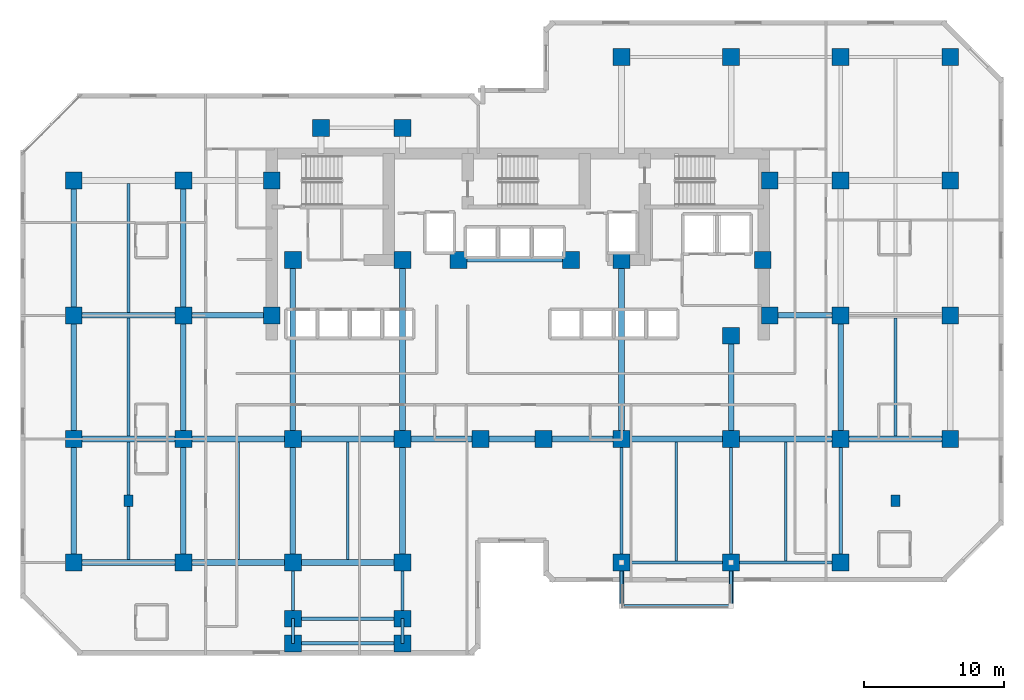
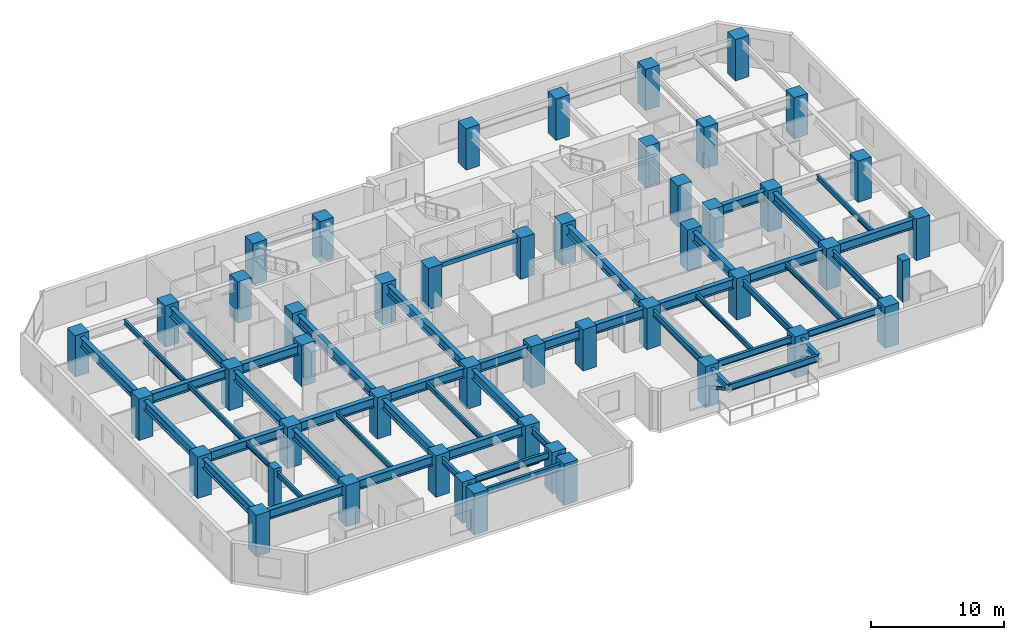
# One storey, part 1 of 11: 51 beams, 48 columns, 2 members.
"""IFC4 building model written with IfcOpenShell, lengths in metres."""

from ifc_helpers import new_model, si_unit, direction, frame, origin, origin_2d, place, context, subcontext, project, spatial, rectangle, hollow_rectangle, i_section, extrude, material, material_profile, profile_set, type_object, element, save


model = new_model("IFC4")

# Units and contexts
model_context = context("Model", 3, precision=1e-05, world=origin(), true_north=direction((0.0, 1.0)))
body_context = subcontext(model_context, "Body", "Model", "MODEL_VIEW")
ifc_project = project(units=[si_unit("LENGTHUNIT", "METRE"), si_unit("AREAUNIT", "SQUARE_METRE"), si_unit("VOLUMEUNIT", "CUBIC_METRE"), si_unit("PLANEANGLEUNIT", "RADIAN"), si_unit("MASSUNIT", "GRAM", prefix="KILO")], contexts=[model_context])

# Site, building, storey
site_placement = place(None, origin())
site = spatial("IfcSite", under=ifc_project, at=site_placement, CompositionType="ELEMENT")
building_placement = place(site_placement, origin())
building = spatial("IfcBuilding", under=site, at=building_placement, Name="Kestravale Grand Hotel", CompositionType="ELEMENT")
storey_placement = place(building_placement, frame((0.0, 0.0, 114.60009765625)))
storey = spatial("IfcBuildingStorey", under=building, at=storey_placement, Name="L28", CompositionType="ELEMENT", Elevation=114.60009765625)

# Columns
ifc_material_1 = material(Name="Precast concrete f'c 45 MPa", Category="concrete")
ifc_material_profile_1 = material_profile(ifc_material_1, rectangle(XDim=0.64990234375, YDim=0.85009765625, at=origin_2d()))
ifc_profile_set_1 = profile_set([ifc_material_profile_1], Name="Precast concrete f'c 45 MPa")
column_type_1 = type_object("IfcColumnType", Name="C-Z1-PIL850", PredefinedType="PILASTER", material=ifc_profile_set_1)
for number, where, z_axis, x_axis, name in (
    (1, (11.699951171875, 15.60009765625, 0.0), (0.0, 0.0, 1.0), (1.0, 0.0, 0.0), "L28 Art Deco fluted pilaster P1"),
    (2, (66.300048828125, 15.60009765625, 0.0), (0.0, 0.0, 1.0), (1.0, 0.0, 0.0), "L28 Art Deco fluted pilaster P2"),
):
    element("IfcColumn", number, at=place(storey_placement, frame(where, z_axis=z_axis, x_axis=x_axis)), inside=storey, type_object=column_type_1, Name=name, PredefinedType="PILASTER", context=body_context, shape_type="SweptSolid", body=[
        extrude(rectangle(XDim=0.64990234375, YDim=0.85009765625, at=origin_2d()), origin(), (0.0, 0.0, 1.0), 3.7998046875),
    ])
ifc_material_2 = material(Name="Concrete f'c 60 MPa", Category="concrete")
ifc_material_profile_2 = material_profile(ifc_material_2, rectangle(XDim=1.199951171875, YDim=1.199951171875, at=origin_2d()))
ifc_profile_set_2 = profile_set([ifc_material_profile_2], Name="Concrete f'c 60 MPa")
column_type_2 = type_object("IfcColumnType", Name="C-Z2-1200", PredefinedType="COLUMN", material=ifc_profile_set_2)
for number, where, z_axis, x_axis, name in (
    (3, (7.800048828125, 11.199951171875, 0.0), (0.0, 0.0, 1.0), (1.0, 0.0, 0.0), "L28 column 2-C"),
    (4, (7.800048828125, 20.0, 0.0), (0.0, 0.0, 1.0), (1.0, 0.0, 0.0), "L28 column 2-D"),
    (5, (7.800048828125, 28.800048828125, 0.0), (0.0, 0.0, 1.0), (1.0, 0.0, 0.0), "L28 column 2-E"),
    (6, (7.800048828125, 38.39990234375, 0.0), (0.0, 0.0, 1.0), (1.0, 0.0, 0.0), "L28 column 2-F"),
    (7, (15.60009765625, 11.199951171875, 0.0), (0.0, 0.0, 1.0), (1.0, 0.0, 0.0), "L28 column 3-C"),
    (8, (15.60009765625, 20.0, 0.0), (0.0, 0.0, 1.0), (1.0, 0.0, 0.0), "L28 column 3-D"),
    (9, (15.60009765625, 28.800048828125, 0.0), (0.0, 0.0, 1.0), (1.0, 0.0, 0.0), "L28 column 3-E"),
    (10, (15.60009765625, 38.39990234375, 0.0), (0.0, 0.0, 1.0), (1.0, 0.0, 0.0), "L28 column 3-F"),
    (11, (23.39990234375, 11.199951171875, 0.0), (0.0, 0.0, 1.0), (1.0, 0.0, 0.0), "L28 column 4-C"),
    (12, (23.39990234375, 20.0, 0.0), (0.0, 0.0, 1.0), (1.0, 0.0, 0.0), "L28 column 4-D"),
    (13, (31.199951171875, 11.199951171875, 0.0), (0.0, 0.0, 1.0), (1.0, 0.0, 0.0), "L28 column 5-C"),
    (14, (31.199951171875, 20.0, 0.0), (0.0, 0.0, 1.0), (1.0, 0.0, 0.0), "L28 column 5-D"),
    (15, (36.75, 20.0, 0.0), (0.0, 0.0, 1.0), (1.0, 0.0, 0.0), "L28 column 6-D"),
    (16, (41.25, 20.0, 0.0), (0.0, 0.0, 1.0), (1.0, 0.0, 0.0), "L28 column 7-D"),
    (17, (46.800048828125, 11.199951171875, 0.0), (0.0, 0.0, 1.0), (1.0, 0.0, 0.0), "L28 column 8-C"),
    (18, (46.800048828125, 20.0, 0.0), (0.0, 0.0, 1.0), (1.0, 0.0, 0.0), "L28 column 8-D"),
    (19, (46.800048828125, 47.199951171875, 0.0), (0.0, 0.0, 1.0), (1.0, 0.0, 0.0), "L28 column 8-G"),
    (20, (54.60009765625, 11.199951171875, 0.0), (0.0, 0.0, 1.0), (1.0, 0.0, 0.0), "L28 column 9-C"),
    (21, (54.60009765625, 20.0, 0.0), (0.0, 0.0, 1.0), (1.0, 0.0, 0.0), "L28 column 9-D"),
    (22, (54.60009765625, 47.199951171875, 0.0), (0.0, 0.0, 1.0), (1.0, 0.0, 0.0), "L28 column 9-G"),
    (23, (62.39990234375, 11.199951171875, 0.0), (0.0, 0.0, 1.0), (1.0, 0.0, 0.0), "L28 column 10-C"),
    (24, (62.39990234375, 20.0, 0.0), (0.0, 0.0, 1.0), (1.0, 0.0, 0.0), "L28 column 10-D"),
    (25, (62.39990234375, 28.800048828125, 0.0), (0.0, 0.0, 1.0), (1.0, 0.0, 0.0), "L28 column 10-E"),
    (26, (62.39990234375, 38.39990234375, 0.0), (0.0, 0.0, 1.0), (1.0, 0.0, 0.0), "L28 column 10-F"),
    (27, (62.39990234375, 47.199951171875, 0.0), (0.0, 0.0, 1.0), (1.0, 0.0, 0.0), "L28 column 10-G"),
    (28, (70.199951171875, 20.0, 0.0), (0.0, 0.0, 1.0), (1.0, 0.0, 0.0), "L28 column 11-D"),
    (29, (70.199951171875, 28.800048828125, 0.0), (0.0, 0.0, 1.0), (1.0, 0.0, 0.0), "L28 column 11-E"),
    (30, (70.199951171875, 38.39990234375, 0.0), (0.0, 0.0, 1.0), (1.0, 0.0, 0.0), "L28 column 11-F"),
    (31, (70.199951171875, 47.199951171875, 0.0), (0.0, 0.0, 1.0), (1.0, 0.0, 0.0), "L28 column 11-G"),
    (32, (21.89990234375, 28.800048828125, 0.0), (0.0, 0.0, 1.0), (1.0, 0.0, 0.0), "L28 column CW-E"),
    (33, (21.89990234375, 38.39990234375, 0.0), (0.0, 0.0, 1.0), (1.0, 0.0, 0.0), "L28 column CW-F"),
    (34, (57.35009765625, 28.800048828125, 0.0), (0.0, 0.0, 1.0), (1.0, 0.0, 0.0), "L28 column CE-E"),
    (35, (57.35009765625, 38.39990234375, 0.0), (0.0, 0.0, 1.0), (1.0, 0.0, 0.0), "L28 column CE-F"),
    (36, (23.39990234375, 32.75, 0.0), (0.0, 0.0, 1.0), (1.0, 0.0, 0.0), "L28 column 4-CS"),
    (37, (31.199951171875, 32.75, 0.0), (0.0, 0.0, 1.0), (1.0, 0.0, 0.0), "L28 column 5-CS"),
    (38, (35.199951171875, 32.75, 0.0), (0.0, 0.0, 1.0), (1.0, 0.0, 0.0), "L28 column 6C-CS"),
    (39, (43.199951171875, 32.75, 0.0), (0.0, 0.0, 1.0), (1.0, 0.0, 0.0), "L28 column 7C-CS"),
    (40, (46.800048828125, 32.75, 0.0), (0.0, 0.0, 1.0), (1.0, 0.0, 0.0), "L28 column 8-CS"),
    (41, (54.60009765625, 27.35009765625, 0.0), (0.0, 0.0, 1.0), (1.0, 0.0, 0.0), "L28 column 9-CS"),
    (42, (56.85009765625, 32.75, 0.0), (0.0, 0.0, 1.0), (1.0, 0.0, 0.0), "L28 column 9C-CS"),
    (43, (23.39990234375, 7.199951171875, 0.0), (0.0, 0.0, 1.0), (1.0, 0.0, 0.0), "L28 column 4-BS"),
    (44, (31.199951171875, 7.199951171875, 0.0), (0.0, 0.0, 1.0), (1.0, 0.0, 0.0), "L28 column 5-BS"),
    (45, (25.39990234375, 42.14990234375, 0.0), (0.0, 0.0, 1.0), (1.0, 0.0, 0.0), "L28 column 4-FN"),
    (46, (31.199951171875, 42.14990234375, 0.0), (0.0, 0.0, 1.0), (1.0, 0.0, 0.0), "L28 column 5-FN"),
    (47, (23.39990234375, 5.449951171875, 0.0), (0.0, 0.0, 1.0), (1.0, 0.0, 0.0), "L28 column 4-B1S"),
    (48, (31.199951171875, 5.449951171875, 0.0), (0.0, 0.0, 1.0), (1.0, 0.0, 0.0), "L28 column 5-B1S"),
):
    element("IfcColumn", number, at=place(storey_placement, frame(where, z_axis=z_axis, x_axis=x_axis)), inside=storey, type_object=column_type_2, Name=name, PredefinedType="COLUMN", context=body_context, shape_type="SweptSolid", body=[
        extrude(rectangle(XDim=1.199951171875, YDim=1.199951171875, at=origin_2d()), origin(), (0.0, 0.0, 1.0), 3.7998046875),
    ])

# Beams
ifc_material_3 = material(Name="Steel ASTM A992 Grade 50", Category="steel")
ifc_material_profile_3 = material_profile(ifc_material_3, i_section(OverallWidth=0.19091796875, OverallDepth=0.45703125, WebThickness=0.009033203125, FlangeThickness=0.014404296875, FilletRadius=0.015380859375, at=origin_2d()))
ifc_profile_set_3 = profile_set([ifc_material_profile_3], Name="Steel ASTM A992 Grade 50")
beam_type_1 = type_object("IfcBeamType", Name="B-FLR-JST18", PredefinedType="JOIST", material=ifc_profile_set_3)
for number, where, z_axis, x_axis, name in (
    (49, (11.699951171875, 11.400390625, 3.3115234375), (0.0, 1.0, 0.0), (-1.0, 0.0, 0.0), "L28 floor joist 2-3/C-D #1"),
    (50, (11.699951171875, 20.200439453125, 3.3115234375), (0.0, 1.0, 0.0), (-1.0, 0.0, 0.0), "L28 floor joist 2-3/D-E #1"),
):
    element("IfcBeam", number, at=place(storey_placement, frame(where, z_axis=z_axis, x_axis=x_axis)), inside=storey, type_object=beam_type_1, Name=name, PredefinedType="JOIST", context=body_context, shape_type="SweptSolid", body=[
        extrude(i_section(OverallWidth=0.19091796875, OverallDepth=0.45703125, WebThickness=0.009033203125, FlangeThickness=0.014404296875, FilletRadius=0.015380859375, at=origin_2d()), origin(), (0.0, 0.0, 1.0), 8.399169921875),
    ])
beam_1_placement = place(storey_placement, frame((11.699951171875, 29.00048828125, 3.3115234375), z_axis=(0.0, 1.0, 0.0), x_axis=(-1.0, 0.0, 0.0)))
element("IfcBeam", 51, at=beam_1_placement, inside=storey, type_object=beam_type_1, Name="L28 floor joist 2-3/E-F #1", PredefinedType="JOIST", context=body_context, shape_type="SweptSolid", body=[
    extrude(i_section(OverallWidth=0.19091796875, OverallDepth=0.45703125, WebThickness=0.009033203125, FlangeThickness=0.014404296875, FilletRadius=0.015380859375, at=origin_2d()), origin(), (0.0, 0.0, 1.0), 9.198974609375),
])
for number, where, z_axis, x_axis, name in (
    (52, (19.5, 11.400390625, 3.3115234375), (0.0, 1.0, 0.0), (-1.0, 0.0, 0.0), "L28 floor joist 3-4/C-D #1"),
    (53, (27.300048828125, 11.400390625, 3.3115234375), (0.0, 1.0, 0.0), (-1.0, 0.0, 0.0), "L28 floor joist 4-5/C-D #1"),
):
    element("IfcBeam", number, at=place(storey_placement, frame(where, z_axis=z_axis, x_axis=x_axis)), inside=storey, type_object=beam_type_1, Name=name, PredefinedType="JOIST", context=body_context, shape_type="SweptSolid", body=[
        extrude(i_section(OverallWidth=0.19091796875, OverallDepth=0.45703125, WebThickness=0.009033203125, FlangeThickness=0.014404296875, FilletRadius=0.015380859375, at=origin_2d()), origin(), (0.0, 0.0, 1.0), 8.399169921875),
    ])
for number, where, z_axis, x_axis, name in (
    (54, (50.699951171875, 11.314453125, 3.3115234375), (0.0, 1.0, 0.0), (-1.0, 0.0, 0.0), "L28 floor joist 8-9/C-D #1"),
    (55, (58.5, 11.314453125, 3.3115234375), (0.0, 1.0, 0.0), (-1.0, 0.0, 0.0), "L28 floor joist 9-10/C-D #1"),
):
    element("IfcBeam", number, at=place(storey_placement, frame(where, z_axis=z_axis, x_axis=x_axis)), inside=storey, type_object=beam_type_1, Name=name, PredefinedType="JOIST", context=body_context, shape_type="SweptSolid", body=[
        extrude(i_section(OverallWidth=0.19091796875, OverallDepth=0.45703125, WebThickness=0.009033203125, FlangeThickness=0.014404296875, FilletRadius=0.015380859375, at=origin_2d()), origin(), (0.0, 0.0, 1.0), 8.485107421875),
    ])
beam_2_placement = place(storey_placement, frame((66.300048828125, 20.200439453125, 3.3115234375), z_axis=(0.0, 1.0, 0.0), x_axis=(-1.0, 0.0, 0.0)))
element("IfcBeam", 56, at=beam_2_placement, inside=storey, type_object=beam_type_1, Name="L28 floor joist 10-11/D-E #1", PredefinedType="JOIST", context=body_context, shape_type="SweptSolid", body=[
    extrude(i_section(OverallWidth=0.19091796875, OverallDepth=0.45703125, WebThickness=0.009033203125, FlangeThickness=0.014404296875, FilletRadius=0.015380859375, at=origin_2d()), origin(), (0.0, 0.0, 1.0), 8.399169921875),
])
ifc_material_4 = material(Name="Concrete f'c 45 MPa", Category="concrete")
ifc_material_profile_4 = material_profile(ifc_material_4, rectangle(XDim=0.300048828125, YDim=0.39990234375, at=origin_2d()))
ifc_profile_set_4 = profile_set([ifc_material_profile_4], Name="Concrete f'c 45 MPa")
beam_type_2 = type_object("IfcBeamType", Name="B-FLR-LNT400", PredefinedType="LINTEL", material=ifc_profile_set_4)
beam_3_placement = place(storey_placement, frame((35.199951171875, 32.75, 3.33984375), z_axis=(1.0, 0.0, 0.0), x_axis=(0.0, 1.0, 0.0)))
element("IfcBeam", 57, at=beam_3_placement, inside=storey, type_object=beam_type_2, Name="L28 core portal header lintel", PredefinedType="LINTEL", context=body_context, shape_type="SweptSolid", body=[
    extrude(rectangle(XDim=0.300048828125, YDim=0.39990234375, at=origin_2d()), origin(), (0.0, 0.0, 1.0), 8.0),
])
ifc_material_5 = material(Name="Steel ASTM A992 Grade 50", Category="steel")
ifc_material_profile_5 = material_profile(ifc_material_5, i_section(OverallWidth=0.324951171875, OverallDepth=0.612060546875, WebThickness=0.0126953125, FlangeThickness=0.01904296875, FilletRadius=0.018798828125, at=origin_2d()))
ifc_profile_set_5 = profile_set([ifc_material_profile_5], Name="Steel ASTM A992 Grade 50")
beam_type_3 = type_object("IfcBeamType", Name="B-FLR-W24A", PredefinedType="SPANDREL", material=ifc_profile_set_5)
for number, where, z_axis, x_axis, name in (
    (58, (46.800048828125, 11.199951171875, 3.223876953125), (0.0, -1.0, 0.0), (1.0, 0.0, 0.0), "L29 terrace cantilever beam 1"),
    (59, (54.60009765625, 11.199951171875, 3.223876953125), (0.0, -1.0, 0.0), (1.0, 0.0, 0.0), "L29 terrace cantilever beam 2"),
):
    element("IfcBeam", number, at=place(storey_placement, frame(where, z_axis=z_axis, x_axis=x_axis)), inside=storey, type_object=beam_type_3, Name=name, PredefinedType="SPANDREL", context=body_context, shape_type="SweptSolid", body=[
        extrude(i_section(OverallWidth=0.324951171875, OverallDepth=0.612060546875, WebThickness=0.0126953125, FlangeThickness=0.01904296875, FilletRadius=0.018798828125, at=origin_2d()), origin(), (0.0, 0.0, 1.0), 3.099853515625),
    ])
ifc_material_6 = material(Name="Steel ASTM A992 Grade 50", Category="steel")
ifc_material_profile_6 = material_profile(ifc_material_6, i_section(OverallWidth=0.22900390625, OverallDepth=0.612060546875, WebThickness=0.011962890625, FlangeThickness=0.01953125, FilletRadius=0.019287109375, at=origin_2d()))
ifc_profile_set_6 = profile_set([ifc_material_profile_6], Name="Steel ASTM A992 Grade 50")
beam_type_4 = type_object("IfcBeamType", Name="B-FLR-W24B", PredefinedType="SPANDREL", material=ifc_profile_set_6)
beam_4_placement = place(storey_placement, frame((46.800048828125, 11.199951171875, 3.23388671875), z_axis=(1.0, 0.0, 0.0), x_axis=(0.0, 1.0, 0.0)))
element("IfcBeam", 60, at=beam_4_placement, inside=storey, type_object=beam_type_4, Name="L28 spandrel C:8-9", PredefinedType="SPANDREL", context=body_context, shape_type="SweptSolid", body=[
    extrude(i_section(OverallWidth=0.22900390625, OverallDepth=0.612060546875, WebThickness=0.011962890625, FlangeThickness=0.01953125, FilletRadius=0.019287109375, at=origin_2d()), origin(), (0.0, 0.0, 1.0), 7.800048828125),
])
beam_5_placement = place(storey_placement, frame((54.60009765625, 11.199951171875, 3.23388671875), z_axis=(1.0, 0.0, 0.0), x_axis=(0.0, 1.0, 0.0)))
element("IfcBeam", 61, at=beam_5_placement, inside=storey, type_object=beam_type_4, Name="L28 spandrel C:9-10", PredefinedType="SPANDREL", context=body_context, shape_type="SweptSolid", body=[
    extrude(i_section(OverallWidth=0.22900390625, OverallDepth=0.612060546875, WebThickness=0.011962890625, FlangeThickness=0.01953125, FilletRadius=0.019287109375, at=origin_2d()), origin(), (0.0, 0.0, 1.0), 7.7998046875),
])
for number, where, z_axis, x_axis, name in (
    (62, (23.39990234375, 5.449951171875, 3.23388671875), (1.0, 0.0, 0.0), (0.0, 1.0, 0.0), "L28 perimeter tie spandrel B1S:4-5"),
    (63, (23.39990234375, 7.199951171875, 3.23388671875), (1.0, 0.0, 0.0), (0.0, 1.0, 0.0), "L28 perimeter tie spandrel BS:4-5"),
):
    element("IfcBeam", number, at=place(storey_placement, frame(where, z_axis=z_axis, x_axis=x_axis)), inside=storey, type_object=beam_type_4, Name=name, PredefinedType="SPANDREL", context=body_context, shape_type="SweptSolid", body=[
        extrude(i_section(OverallWidth=0.22900390625, OverallDepth=0.612060546875, WebThickness=0.011962890625, FlangeThickness=0.01953125, FilletRadius=0.019287109375, at=origin_2d()), origin(), (0.0, 0.0, 1.0), 7.800048828125),
    ])
beam_6_placement = place(storey_placement, frame((23.39990234375, 5.449951171875, 3.23388671875), z_axis=(0.0, 1.0, 0.0), x_axis=(-1.0, 0.0, 0.0)))
element("IfcBeam", 64, at=beam_6_placement, inside=storey, type_object=beam_type_4, Name="L28 spandrel 4:B1S-BS", PredefinedType="SPANDREL", context=body_context, shape_type="SweptSolid", body=[
    extrude(i_section(OverallWidth=0.22900390625, OverallDepth=0.612060546875, WebThickness=0.011962890625, FlangeThickness=0.01953125, FilletRadius=0.019287109375, at=origin_2d()), origin(), (0.0, 0.0, 1.0), 1.75),
])
beam_7_placement = place(storey_placement, frame((23.39990234375, 7.199951171875, 3.23388671875), z_axis=(0.0, 1.0, 0.0), x_axis=(-1.0, 0.0, 0.0)))
element("IfcBeam", 65, at=beam_7_placement, inside=storey, type_object=beam_type_4, Name="L28 spandrel 4:BS-C", PredefinedType="SPANDREL", context=body_context, shape_type="SweptSolid", body=[
    extrude(i_section(OverallWidth=0.22900390625, OverallDepth=0.612060546875, WebThickness=0.011962890625, FlangeThickness=0.01953125, FilletRadius=0.019287109375, at=origin_2d()), origin(), (0.0, 0.0, 1.0), 4.0),
])
beam_8_placement = place(storey_placement, frame((31.199951171875, 5.449951171875, 3.23388671875), z_axis=(0.0, 1.0, 0.0), x_axis=(-1.0, 0.0, 0.0)))
element("IfcBeam", 66, at=beam_8_placement, inside=storey, type_object=beam_type_4, Name="L28 spandrel 5:B1S-BS", PredefinedType="SPANDREL", context=body_context, shape_type="SweptSolid", body=[
    extrude(i_section(OverallWidth=0.22900390625, OverallDepth=0.612060546875, WebThickness=0.011962890625, FlangeThickness=0.01953125, FilletRadius=0.019287109375, at=origin_2d()), origin(), (0.0, 0.0, 1.0), 1.75),
])
beam_9_placement = place(storey_placement, frame((31.199951171875, 7.199951171875, 3.23388671875), z_axis=(0.0, 1.0, 0.0), x_axis=(-1.0, 0.0, 0.0)))
element("IfcBeam", 67, at=beam_9_placement, inside=storey, type_object=beam_type_4, Name="L28 spandrel 5:BS-C", PredefinedType="SPANDREL", context=body_context, shape_type="SweptSolid", body=[
    extrude(i_section(OverallWidth=0.22900390625, OverallDepth=0.612060546875, WebThickness=0.011962890625, FlangeThickness=0.01953125, FilletRadius=0.019287109375, at=origin_2d()), origin(), (0.0, 0.0, 1.0), 4.0),
])
for number, where, z_axis, x_axis, name in (
    (68, (46.800048828125, 11.199951171875, 3.23388671875), (0.0, 1.0, 0.0), (-1.0, 0.0, 0.0), "L28 spandrel 8:C-D"),
    (69, (54.60009765625, 11.199951171875, 3.23388671875), (0.0, 1.0, 0.0), (-1.0, 0.0, 0.0), "L28 spandrel 9:C-D"),
    (70, (62.39990234375, 11.199951171875, 3.23388671875), (0.0, 1.0, 0.0), (-1.0, 0.0, 0.0), "L28 spandrel 10:C-D"),
):
    element("IfcBeam", number, at=place(storey_placement, frame(where, z_axis=z_axis, x_axis=x_axis)), inside=storey, type_object=beam_type_4, Name=name, PredefinedType="SPANDREL", context=body_context, shape_type="SweptSolid", body=[
        extrude(i_section(OverallWidth=0.22900390625, OverallDepth=0.612060546875, WebThickness=0.011962890625, FlangeThickness=0.01953125, FilletRadius=0.019287109375, at=origin_2d()), origin(), (0.0, 0.0, 1.0), 8.800048828125),
    ])
beam_10_placement = place(storey_placement, frame((46.800048828125, 8.10009765625, 3.223876953125), z_axis=(1.0, 0.0, 0.0), x_axis=(0.0, 1.0, 0.0)))
element("IfcBeam", 71, at=beam_10_placement, inside=storey, type_object=beam_type_4, Name="L29 terrace edge spandrel", PredefinedType="SPANDREL", context=body_context, shape_type="SweptSolid", body=[
    extrude(i_section(OverallWidth=0.22900390625, OverallDepth=0.612060546875, WebThickness=0.011962890625, FlangeThickness=0.01953125, FilletRadius=0.019287109375, at=origin_2d()), origin(), (0.0, 0.0, 1.0), 7.800048828125),
])
ifc_material_7 = material(Name="Steel ASTM A992 Grade 50", Category="steel")
ifc_material_profile_7 = material_profile(ifc_material_7, i_section(OverallWidth=0.40087890625, OverallDepth=0.861083984375, WebThickness=0.019775390625, FlangeThickness=0.032470703125, FilletRadius=0.0234375, at=origin_2d()))
ifc_profile_set_7 = profile_set([ifc_material_profile_7], Name="Steel ASTM A992 Grade 50")
beam_type_5 = type_object("IfcBeamType", Name="B-GRD-W33", PredefinedType="BEAM", material=ifc_profile_set_7)
beam_11_placement = place(storey_placement, frame((7.800048828125, 11.199951171875, 3.109375), z_axis=(1.0, 0.0, 0.0), x_axis=(0.0, 1.0, 0.0)))
element("IfcBeam", 72, at=beam_11_placement, inside=storey, type_object=beam_type_5, Name="L28 girder C:2-3", PredefinedType="BEAM", context=body_context, shape_type="SweptSolid", body=[
    extrude(i_section(OverallWidth=0.40087890625, OverallDepth=0.861083984375, WebThickness=0.019775390625, FlangeThickness=0.032470703125, FilletRadius=0.0234375, at=origin_2d()), origin(), (0.0, 0.0, 1.0), 7.800048828125),
])
beam_12_placement = place(storey_placement, frame((15.60009765625, 11.199951171875, 3.109375), z_axis=(1.0, 0.0, 0.0), x_axis=(0.0, 1.0, 0.0)))
element("IfcBeam", 73, at=beam_12_placement, inside=storey, type_object=beam_type_5, Name="L28 girder C:3-4", PredefinedType="BEAM", context=body_context, shape_type="SweptSolid", body=[
    extrude(i_section(OverallWidth=0.40087890625, OverallDepth=0.861083984375, WebThickness=0.019775390625, FlangeThickness=0.032470703125, FilletRadius=0.0234375, at=origin_2d()), origin(), (0.0, 0.0, 1.0), 7.7998046875),
])
for number, where, z_axis, x_axis, name in (
    (74, (23.39990234375, 11.199951171875, 3.109375), (1.0, 0.0, 0.0), (0.0, 1.0, 0.0), "L28 girder C:4-5"),
    (75, (7.800048828125, 20.0, 3.109375), (1.0, 0.0, 0.0), (0.0, 1.0, 0.0), "L28 girder D:2-3"),
):
    element("IfcBeam", number, at=place(storey_placement, frame(where, z_axis=z_axis, x_axis=x_axis)), inside=storey, type_object=beam_type_5, Name=name, PredefinedType="BEAM", context=body_context, shape_type="SweptSolid", body=[
        extrude(i_section(OverallWidth=0.40087890625, OverallDepth=0.861083984375, WebThickness=0.019775390625, FlangeThickness=0.032470703125, FilletRadius=0.0234375, at=origin_2d()), origin(), (0.0, 0.0, 1.0), 7.800048828125),
    ])
beam_13_placement = place(storey_placement, frame((15.60009765625, 20.0, 3.109375), z_axis=(1.0, 0.0, 0.0), x_axis=(0.0, 1.0, 0.0)))
element("IfcBeam", 76, at=beam_13_placement, inside=storey, type_object=beam_type_5, Name="L28 girder D:3-4", PredefinedType="BEAM", context=body_context, shape_type="SweptSolid", body=[
    extrude(i_section(OverallWidth=0.40087890625, OverallDepth=0.861083984375, WebThickness=0.019775390625, FlangeThickness=0.032470703125, FilletRadius=0.0234375, at=origin_2d()), origin(), (0.0, 0.0, 1.0), 7.7998046875),
])
beam_14_placement = place(storey_placement, frame((23.39990234375, 20.0, 3.109375), z_axis=(1.0, 0.0, 0.0), x_axis=(0.0, 1.0, 0.0)))
element("IfcBeam", 77, at=beam_14_placement, inside=storey, type_object=beam_type_5, Name="L28 girder D:4-5", PredefinedType="BEAM", context=body_context, shape_type="SweptSolid", body=[
    extrude(i_section(OverallWidth=0.40087890625, OverallDepth=0.861083984375, WebThickness=0.019775390625, FlangeThickness=0.032470703125, FilletRadius=0.0234375, at=origin_2d()), origin(), (0.0, 0.0, 1.0), 7.800048828125),
])
beam_15_placement = place(storey_placement, frame((31.199951171875, 20.0, 3.109375), z_axis=(1.0, 0.0, 0.0), x_axis=(0.0, 1.0, 0.0)))
element("IfcBeam", 78, at=beam_15_placement, inside=storey, type_object=beam_type_5, Name="L28 girder D:5-6", PredefinedType="BEAM", context=body_context, shape_type="SweptSolid", body=[
    extrude(i_section(OverallWidth=0.40087890625, OverallDepth=0.861083984375, WebThickness=0.019775390625, FlangeThickness=0.032470703125, FilletRadius=0.0234375, at=origin_2d()), origin(), (0.0, 0.0, 1.0), 5.550048828125),
])
beam_16_placement = place(storey_placement, frame((36.75, 20.0, 3.109375), z_axis=(1.0, 0.0, 0.0), x_axis=(0.0, 1.0, 0.0)))
element("IfcBeam", 79, at=beam_16_placement, inside=storey, type_object=beam_type_5, Name="L28 girder D:6-7", PredefinedType="BEAM", context=body_context, shape_type="SweptSolid", body=[
    extrude(i_section(OverallWidth=0.40087890625, OverallDepth=0.861083984375, WebThickness=0.019775390625, FlangeThickness=0.032470703125, FilletRadius=0.0234375, at=origin_2d()), origin(), (0.0, 0.0, 1.0), 4.5),
])
beam_17_placement = place(storey_placement, frame((41.25, 20.0, 3.109375), z_axis=(1.0, 0.0, 0.0), x_axis=(0.0, 1.0, 0.0)))
element("IfcBeam", 80, at=beam_17_placement, inside=storey, type_object=beam_type_5, Name="L28 girder D:7-8", PredefinedType="BEAM", context=body_context, shape_type="SweptSolid", body=[
    extrude(i_section(OverallWidth=0.40087890625, OverallDepth=0.861083984375, WebThickness=0.019775390625, FlangeThickness=0.032470703125, FilletRadius=0.0234375, at=origin_2d()), origin(), (0.0, 0.0, 1.0), 5.550048828125),
])
beam_18_placement = place(storey_placement, frame((46.800048828125, 20.0, 3.109375), z_axis=(1.0, 0.0, 0.0), x_axis=(0.0, 1.0, 0.0)))
element("IfcBeam", 81, at=beam_18_placement, inside=storey, type_object=beam_type_5, Name="L28 girder D:8-9", PredefinedType="BEAM", context=body_context, shape_type="SweptSolid", body=[
    extrude(i_section(OverallWidth=0.40087890625, OverallDepth=0.861083984375, WebThickness=0.019775390625, FlangeThickness=0.032470703125, FilletRadius=0.0234375, at=origin_2d()), origin(), (0.0, 0.0, 1.0), 7.800048828125),
])
beam_19_placement = place(storey_placement, frame((54.60009765625, 20.0, 3.109375), z_axis=(1.0, 0.0, 0.0), x_axis=(0.0, 1.0, 0.0)))
element("IfcBeam", 82, at=beam_19_placement, inside=storey, type_object=beam_type_5, Name="L28 girder D:9-10", PredefinedType="BEAM", context=body_context, shape_type="SweptSolid", body=[
    extrude(i_section(OverallWidth=0.40087890625, OverallDepth=0.861083984375, WebThickness=0.019775390625, FlangeThickness=0.032470703125, FilletRadius=0.0234375, at=origin_2d()), origin(), (0.0, 0.0, 1.0), 7.7998046875),
])
for number, where, z_axis, x_axis, name in (
    (83, (62.39990234375, 20.0, 3.109375), (1.0, 0.0, 0.0), (0.0, 1.0, 0.0), "L28 girder D:10-11"),
    (84, (7.800048828125, 28.800048828125, 3.109375), (1.0, 0.0, 0.0), (0.0, 1.0, 0.0), "L28 girder E:2-3"),
):
    element("IfcBeam", number, at=place(storey_placement, frame(where, z_axis=z_axis, x_axis=x_axis)), inside=storey, type_object=beam_type_5, Name=name, PredefinedType="BEAM", context=body_context, shape_type="SweptSolid", body=[
        extrude(i_section(OverallWidth=0.40087890625, OverallDepth=0.861083984375, WebThickness=0.019775390625, FlangeThickness=0.032470703125, FilletRadius=0.0234375, at=origin_2d()), origin(), (0.0, 0.0, 1.0), 7.800048828125),
    ])
beam_20_placement = place(storey_placement, frame((15.60009765625, 28.800048828125, 3.109375), z_axis=(1.0, 0.0, 0.0), x_axis=(0.0, 1.0, 0.0)))
element("IfcBeam", 85, at=beam_20_placement, inside=storey, type_object=beam_type_5, Name="L28 girder E:3-CW", PredefinedType="BEAM", context=body_context, shape_type="SweptSolid", body=[
    extrude(i_section(OverallWidth=0.40087890625, OverallDepth=0.861083984375, WebThickness=0.019775390625, FlangeThickness=0.032470703125, FilletRadius=0.0234375, at=origin_2d()), origin(), (0.0, 0.0, 1.0), 6.2998046875),
])
beam_21_placement = place(storey_placement, frame((57.35009765625, 28.800048828125, 3.109375), z_axis=(1.0, 0.0, 0.0), x_axis=(0.0, 1.0, 0.0)))
element("IfcBeam", 86, at=beam_21_placement, inside=storey, type_object=beam_type_5, Name="L28 girder E:CE-10", PredefinedType="BEAM", context=body_context, shape_type="SweptSolid", body=[
    extrude(i_section(OverallWidth=0.40087890625, OverallDepth=0.861083984375, WebThickness=0.019775390625, FlangeThickness=0.032470703125, FilletRadius=0.0234375, at=origin_2d()), origin(), (0.0, 0.0, 1.0), 5.0498046875),
])
for number, where, z_axis, x_axis, name in (
    (87, (7.800048828125, 11.199951171875, 3.109375), (0.0, 1.0, 0.0), (-1.0, 0.0, 0.0), "L28 girder 2:C-D"),
    (88, (7.800048828125, 20.0, 3.109375), (0.0, 1.0, 0.0), (-1.0, 0.0, 0.0), "L28 girder 2:D-E"),
):
    element("IfcBeam", number, at=place(storey_placement, frame(where, z_axis=z_axis, x_axis=x_axis)), inside=storey, type_object=beam_type_5, Name=name, PredefinedType="BEAM", context=body_context, shape_type="SweptSolid", body=[
        extrude(i_section(OverallWidth=0.40087890625, OverallDepth=0.861083984375, WebThickness=0.019775390625, FlangeThickness=0.032470703125, FilletRadius=0.0234375, at=origin_2d()), origin(), (0.0, 0.0, 1.0), 8.800048828125),
    ])
beam_22_placement = place(storey_placement, frame((7.800048828125, 28.800048828125, 3.109375), z_axis=(0.0, 1.0, 0.0), x_axis=(-1.0, 0.0, 0.0)))
element("IfcBeam", 89, at=beam_22_placement, inside=storey, type_object=beam_type_5, Name="L28 girder 2:E-F", PredefinedType="BEAM", context=body_context, shape_type="SweptSolid", body=[
    extrude(i_section(OverallWidth=0.40087890625, OverallDepth=0.861083984375, WebThickness=0.019775390625, FlangeThickness=0.032470703125, FilletRadius=0.0234375, at=origin_2d()), origin(), (0.0, 0.0, 1.0), 9.599853515625),
])
for number, where, z_axis, x_axis, name in (
    (90, (15.60009765625, 11.199951171875, 3.109375), (0.0, 1.0, 0.0), (-1.0, 0.0, 0.0), "L28 girder 3:C-D"),
    (91, (15.60009765625, 20.0, 3.109375), (0.0, 1.0, 0.0), (-1.0, 0.0, 0.0), "L28 girder 3:D-E"),
):
    element("IfcBeam", number, at=place(storey_placement, frame(where, z_axis=z_axis, x_axis=x_axis)), inside=storey, type_object=beam_type_5, Name=name, PredefinedType="BEAM", context=body_context, shape_type="SweptSolid", body=[
        extrude(i_section(OverallWidth=0.40087890625, OverallDepth=0.861083984375, WebThickness=0.019775390625, FlangeThickness=0.032470703125, FilletRadius=0.0234375, at=origin_2d()), origin(), (0.0, 0.0, 1.0), 8.800048828125),
    ])
beam_23_placement = place(storey_placement, frame((15.60009765625, 28.800048828125, 3.109375), z_axis=(0.0, 1.0, 0.0), x_axis=(-1.0, 0.0, 0.0)))
element("IfcBeam", 92, at=beam_23_placement, inside=storey, type_object=beam_type_5, Name="L28 girder 3:E-F", PredefinedType="BEAM", context=body_context, shape_type="SweptSolid", body=[
    extrude(i_section(OverallWidth=0.40087890625, OverallDepth=0.861083984375, WebThickness=0.019775390625, FlangeThickness=0.032470703125, FilletRadius=0.0234375, at=origin_2d()), origin(), (0.0, 0.0, 1.0), 9.599853515625),
])
beam_24_placement = place(storey_placement, frame((23.39990234375, 11.199951171875, 3.109375), z_axis=(0.0, 1.0, 0.0), x_axis=(-1.0, 0.0, 0.0)))
element("IfcBeam", 93, at=beam_24_placement, inside=storey, type_object=beam_type_5, Name="L28 girder 4:C-D", PredefinedType="BEAM", context=body_context, shape_type="SweptSolid", body=[
    extrude(i_section(OverallWidth=0.40087890625, OverallDepth=0.861083984375, WebThickness=0.019775390625, FlangeThickness=0.032470703125, FilletRadius=0.0234375, at=origin_2d()), origin(), (0.0, 0.0, 1.0), 8.800048828125),
])
beam_25_placement = place(storey_placement, frame((23.39990234375, 20.0, 3.109375), z_axis=(0.0, 1.0, 0.0), x_axis=(-1.0, 0.0, 0.0)))
element("IfcBeam", 94, at=beam_25_placement, inside=storey, type_object=beam_type_5, Name="L28 girder 4:D-CS", PredefinedType="BEAM", context=body_context, shape_type="SweptSolid", body=[
    extrude(i_section(OverallWidth=0.40087890625, OverallDepth=0.861083984375, WebThickness=0.019775390625, FlangeThickness=0.032470703125, FilletRadius=0.0234375, at=origin_2d()), origin(), (0.0, 0.0, 1.0), 12.75),
])
beam_26_placement = place(storey_placement, frame((31.199951171875, 11.199951171875, 3.109375), z_axis=(0.0, 1.0, 0.0), x_axis=(-1.0, 0.0, 0.0)))
element("IfcBeam", 95, at=beam_26_placement, inside=storey, type_object=beam_type_5, Name="L28 girder 5:C-D", PredefinedType="BEAM", context=body_context, shape_type="SweptSolid", body=[
    extrude(i_section(OverallWidth=0.40087890625, OverallDepth=0.861083984375, WebThickness=0.019775390625, FlangeThickness=0.032470703125, FilletRadius=0.0234375, at=origin_2d()), origin(), (0.0, 0.0, 1.0), 8.800048828125),
])
for number, where, z_axis, x_axis, name in (
    (96, (31.199951171875, 20.0, 3.109375), (0.0, 1.0, 0.0), (-1.0, 0.0, 0.0), "L28 girder 5:D-CS"),
    (97, (46.800048828125, 20.0, 3.109375), (0.0, 1.0, 0.0), (-1.0, 0.0, 0.0), "L28 girder 8:D-CS"),
):
    element("IfcBeam", number, at=place(storey_placement, frame(where, z_axis=z_axis, x_axis=x_axis)), inside=storey, type_object=beam_type_5, Name=name, PredefinedType="BEAM", context=body_context, shape_type="SweptSolid", body=[
        extrude(i_section(OverallWidth=0.40087890625, OverallDepth=0.861083984375, WebThickness=0.019775390625, FlangeThickness=0.032470703125, FilletRadius=0.0234375, at=origin_2d()), origin(), (0.0, 0.0, 1.0), 12.75),
    ])
beam_27_placement = place(storey_placement, frame((54.60009765625, 20.0, 3.109375), z_axis=(0.0, 1.0, 0.0), x_axis=(-1.0, 0.0, 0.0)))
element("IfcBeam", 98, at=beam_27_placement, inside=storey, type_object=beam_type_5, Name="L28 girder 9:D-CS", PredefinedType="BEAM", context=body_context, shape_type="SweptSolid", body=[
    extrude(i_section(OverallWidth=0.40087890625, OverallDepth=0.861083984375, WebThickness=0.019775390625, FlangeThickness=0.032470703125, FilletRadius=0.0234375, at=origin_2d()), origin(), (0.0, 0.0, 1.0), 7.35009765625),
])
beam_28_placement = place(storey_placement, frame((62.39990234375, 20.0, 3.109375), z_axis=(0.0, 1.0, 0.0), x_axis=(-1.0, 0.0, 0.0)))
element("IfcBeam", 99, at=beam_28_placement, inside=storey, type_object=beam_type_5, Name="L28 girder 10:D-E", PredefinedType="BEAM", context=body_context, shape_type="SweptSolid", body=[
    extrude(i_section(OverallWidth=0.40087890625, OverallDepth=0.861083984375, WebThickness=0.019775390625, FlangeThickness=0.032470703125, FilletRadius=0.0234375, at=origin_2d()), origin(), (0.0, 0.0, 1.0), 8.800048828125),
])

# Members
ifc_material_8 = material(Name="Steel ASTM A500 Grade C", Category="steel")
ifc_material_profile_8 = material_profile(ifc_material_8, hollow_rectangle(XDim=0.25, YDim=0.25, WallThickness=0.011962890625, InnerFilletRadius=0.011962890625, OuterFilletRadius=0.02392578125, at=origin_2d()))
ifc_profile_set_8 = profile_set([ifc_material_profile_8], Name="Steel ASTM A500 Grade C")
member_type = type_object("IfcMemberType", Name="M-BLT-STR250", PredefinedType="STRUT", material=ifc_profile_set_8)
for number, where, z_axis, x_axis, name in (
    (100, (46.800048828125, 11.199951171875, 1.3740234375), (0.0, -0.876808651978, 0.480839461583), (1.0, 0.0, 0.0), "L29 terrace knee-brace strut 1"),
    (101, (54.60009765625, 11.199951171875, 1.3740234375), (0.0, -0.876808651978, 0.480839461583), (1.0, 0.0, 0.0), "L29 terrace knee-brace strut 2"),
):
    element("IfcMember", number, at=place(storey_placement, frame(where, z_axis=z_axis, x_axis=x_axis)), inside=storey, type_object=member_type, Name=name, PredefinedType="STRUT", context=body_context, shape_type="SweptSolid", body=[
        extrude(hollow_rectangle(XDim=0.25, YDim=0.25, WallThickness=0.011962890625, InnerFilletRadius=0.011962890625, OuterFilletRadius=0.02392578125, at=origin_2d()), origin(), (0.0, 0.0, 1.0), 3.535400390625),
    ])

save(model, "model.ifc")
